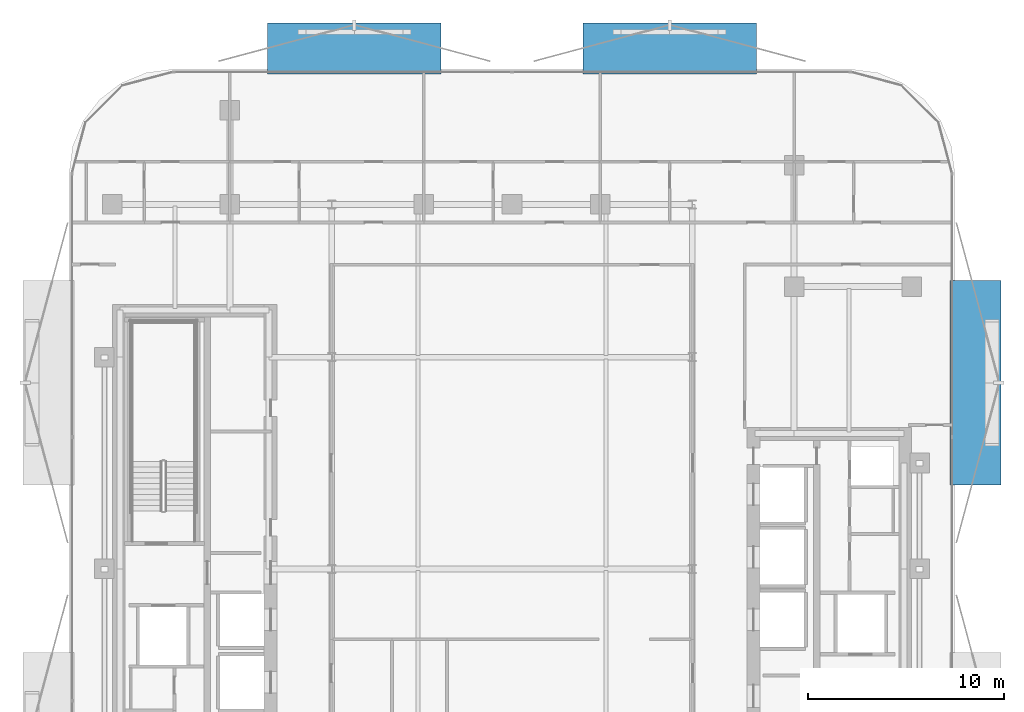
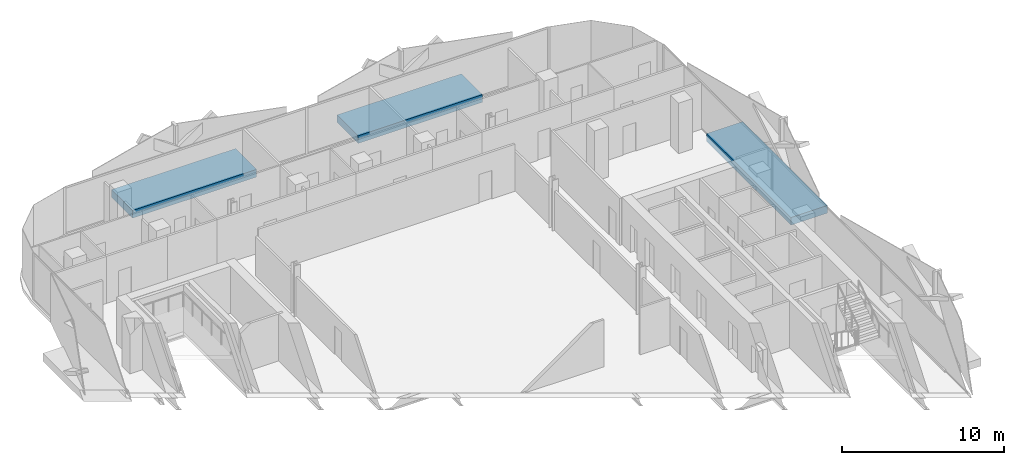
# One storey, part 8 of 17: 3 discrete accessories.
"""IFC4 building model written with IfcOpenShell, lengths in metres."""

from ifc_helpers import new_model, si_unit, direction, frame, origin, origin_2d, place, context, subcontext, project, spatial, rectangle, extrude, material, type_object, element, save


model = new_model("IFC4")

# Units and contexts
model_context = context("Model", 3, precision=1e-05, world=origin(), true_north=direction((0.0, 1.0)))
body_context = subcontext(model_context, "Body", "Model", "MODEL_VIEW")
ifc_project = project(units=[si_unit("LENGTHUNIT", "METRE"), si_unit("AREAUNIT", "SQUARE_METRE"), si_unit("VOLUMEUNIT", "CUBIC_METRE"), si_unit("PLANEANGLEUNIT", "RADIAN"), si_unit("MASSUNIT", "GRAM", prefix="KILO")], contexts=[model_context])

# Site, building, storey
site_placement = place(None, origin())
site = spatial("IfcSite", under=ifc_project, at=site_placement, CompositionType="ELEMENT")
building_placement = place(site_placement, origin())
building = spatial("IfcBuilding", under=site, at=building_placement, Name="Khairoan Windgate Tower", CompositionType="ELEMENT")
storey_placement = place(building_placement, frame((0.0, 0.0, 165.0)))
storey = spatial("IfcBuildingStorey", under=building, at=storey_placement, Name="L37", CompositionType="ELEMENT", Elevation=165.0)

# Discrete accessories
ifc_material = material(Name="Steel S355", Category="steel")
discrete_accessory_type = type_object("IfcDiscreteAccessoryType", Name="Solar Screen Outrigger Slab Bracket SSB-1", PredefinedType="BRACKET", material=ifc_material)
for number, where, z_axis, x_axis, name in (
    (1, (-8.04541015625, 26.56005859375, -0.419921875), (0.0, 0.0, 1.0), (1.0, 0.0, 0.0), "L37 Solar Screen Outrigger Bracket 237"),
    (2, (8.04541015625, 26.56005859375, -0.419921875), (0.0, 0.0, 1.0), (1.0, 0.0, 0.0), "L37 Solar Screen Outrigger Bracket 238"),
):
    element("IfcDiscreteAccessory", number, at=place(storey_placement, frame(where, z_axis=z_axis, x_axis=x_axis)), inside=storey, type_object=discrete_accessory_type, Name=name, PredefinedType="BRACKET", context=body_context, shape_type="SweptSolid", body=[
        extrude(rectangle(XDim=8.85009765625, YDim=2.60009765625, at=origin_2d()), origin(), (0.0, 0.0, 1.0), 0.580078125),
    ])
discrete_accessory_placement = place(storey_placement, frame((23.659912109375, 9.495361328125, -0.419921875), z_axis=(0.0, 0.0, 1.0), x_axis=(0.0, -1.0, 0.0)))
element("IfcDiscreteAccessory", 3, at=discrete_accessory_placement, inside=storey, type_object=discrete_accessory_type, Name="L37 Solar Screen Outrigger Bracket 239", PredefinedType="BRACKET", context=body_context, shape_type="SweptSolid", body=[
    extrude(rectangle(XDim=10.445068359375, YDim=2.60009765625, at=origin_2d()), origin(), (0.0, 0.0, 1.0), 0.580078125),
])

save(model, "model.ifc")
